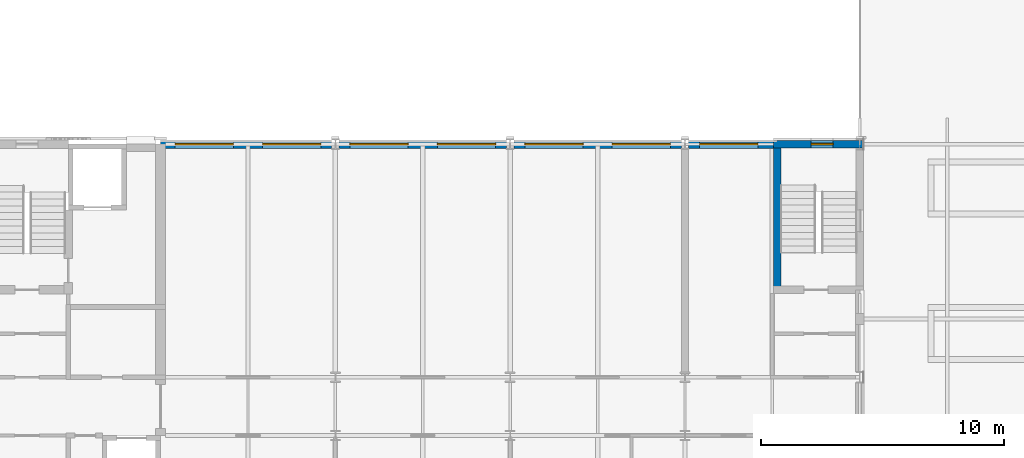
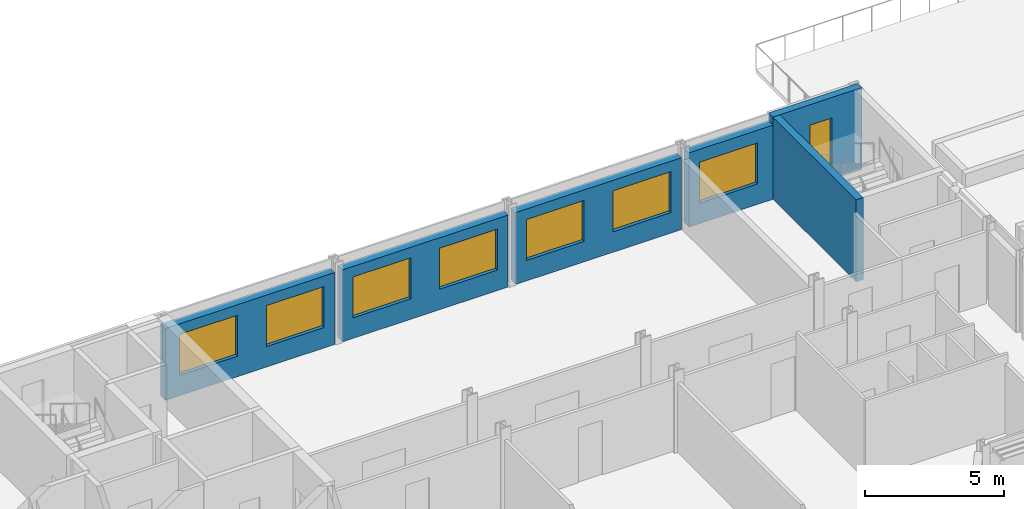
# One storey, part 44 of 110: 8 windows, 6 walls, 8 openings.
"""IFC4 building model written with IfcOpenShell, lengths in metres."""

from ifc_helpers import new_model, si_unit, direction, frame, frame_2d, origin, place, context, subcontext, project, spatial, rectangle, extrude, material, layer, layer_set, type_object, element, fill, save


model = new_model("IFC4")

# Units and contexts
model_context = context("Model", 3, precision=1e-05, world=origin(), true_north=direction((0.0, 1.0)))
body_context = subcontext(model_context, "Body", "Model", "MODEL_VIEW")
ifc_project = project(units=[si_unit("LENGTHUNIT", "METRE"), si_unit("AREAUNIT", "SQUARE_METRE"), si_unit("VOLUMEUNIT", "CUBIC_METRE"), si_unit("PLANEANGLEUNIT", "RADIAN"), si_unit("MASSUNIT", "GRAM", prefix="KILO")], contexts=[model_context])

# Site, building, storey
site_placement = place(None, origin())
site = spatial("IfcSite", under=ifc_project, at=site_placement, CompositionType="ELEMENT")
building_placement = place(site_placement, origin())
building = spatial("IfcBuilding", under=site, at=building_placement, Name="Kupolbacken Congress Centre", CompositionType="ELEMENT")
storey_placement = place(building_placement, frame((0.0, 0.0, 18.0)))
storey = spatial("IfcBuildingStorey", under=building, at=storey_placement, Name="L05", CompositionType="ELEMENT", Elevation=18.0)

# Wall, opening, window
ifc_material_1 = material(Name="Brick", Category="masonry")
ifc_layer_1 = layer(ifc_material_1, 0.10791015625)
ifc_material_2 = material(Name="Air cavity", Category="air")
ifc_layer_2 = layer(ifc_material_2, 0.050048828125, ventilated=True)
ifc_material_3 = material(Name="Mineral wool", Category="insulation")
ifc_layer_3 = layer(ifc_material_3, 0.1298828125)
ifc_material_4 = material(Name="Steel studs", Category="metal")
ifc_layer_4 = layer(ifc_material_4, 0.052001953125)
ifc_layer_set_1 = layer_set([ifc_layer_1, ifc_layer_2, ifc_layer_3, ifc_layer_4], Name="Brick / Mineral wool / Steel studs")
wall_type_1 = type_object("IfcWallType", Name="EW02 external cavity wall 340", PredefinedType="SOLIDWALL", material=ifc_layer_set_1)
wall_1_placement = place(storey_placement, frame((133.39990234375, 144.0, 0.0), z_axis=(0.0, 0.0, 1.0), x_axis=(-1.0, 0.0, 0.0)))
wall_1 = element("IfcWall", 1, at=wall_1_placement, inside=storey, type_object=wall_type_1, Name="E/T/N/L05/065", PredefinedType="SOLIDWALL", context=body_context, shape_type="SweptSolid", body=[
    extrude(rectangle(XDim=3.646484375, YDim=0.340087890625, at=frame_2d((1.8232421875, 0.0))), origin(), (0.0, 0.0, 1.0), 3.260009765625),
])
opening_1_placement = place(wall_1_placement, frame((0.800048828125, 0.0, 0.89990234375)))
opening_1 = element("IfcOpeningElement", 2, at=opening_1_placement, cuts=wall_1, Name="Opening W8", PredefinedType="OPENING", context=body_context, shape_type="SweptSolid", body=[
    extrude(rectangle(XDim=2.39990234375, YDim=1.800048828125, at=frame_2d((1.199951171875, 0.89990234375))), frame((0.0, 0.179931640625, 0.0), z_axis=(0.0, -1.0, 0.0), x_axis=(1.0, 0.0, 0.0)), (0.0, 0.0, 1.0), 0.360107421875),
])
ifc_material_5 = material(Name="Aluminium frame with double or triple glazing", Category="aluminium")
window_type_1 = type_object("IfcWindowType", Name="W8 window 2400x1800", PartitioningType="DOUBLE_PANEL_VERTICAL", PredefinedType="WINDOW", material=ifc_material_5)
window_1_placement = place(opening_1_placement, origin())
window_1 = element("IfcWindow", 3, at=window_1_placement, inside=storey, type_object=window_type_1, Name="E/T/N/L05/065/W1", OverallHeight=1.800048828125, OverallWidth=2.39990234375, PartitioningType="SINGLE_PANEL", PredefinedType="WINDOW", context=body_context, shape_type="SweptSolid", body=[
    extrude(rectangle(XDim=2.39990234375, YDim=1.800048828125, at=frame_2d((1.199951171875, 0.89990234375))), frame((0.0, 0.030029296875, 0.0), z_axis=(0.0, -1.0, 0.0), x_axis=(1.0, 0.0, 0.0)), (0.0, 0.0, 1.0), 0.06005859375),
])
fill(opening_1, window_1)

# Wall, openings, windows
wall_2_placement = place(storey_placement, frame((129.446533203125, 144.0, 0.0), z_axis=(0.0, 0.0, 1.0), x_axis=(-1.0, 0.0, 0.0)))
wall_2 = element("IfcWall", 4, at=wall_2_placement, inside=storey, type_object=wall_type_1, Name="E/T/N/L05/066", PredefinedType="SOLIDWALL", context=body_context, shape_type="SweptSolid", body=[
    extrude(rectangle(XDim=6.89306640625, YDim=0.340087890625, at=frame_2d((3.446533203125, 0.0))), origin(), (0.0, 0.0, 1.0), 3.159912109375),
])
opening_2_placement = place(wall_2_placement, frame((4.04638671875, 0.0, 0.89990234375)))
opening_2 = element("IfcOpeningElement", 5, at=opening_2_placement, cuts=wall_2, Name="Opening W8", PredefinedType="OPENING", context=body_context, shape_type="SweptSolid", body=[
    extrude(rectangle(XDim=2.39990234375, YDim=1.800048828125, at=frame_2d((1.199951171875, 0.89990234375))), frame((0.0, 0.179931640625, 0.0), z_axis=(0.0, -1.0, 0.0), x_axis=(1.0, 0.0, 0.0)), (0.0, 0.0, 1.0), 0.360107421875),
])
opening_3_placement = place(wall_2_placement, frame((0.446533203125, 0.0, 0.89990234375)))
opening_3 = element("IfcOpeningElement", 6, at=opening_3_placement, cuts=wall_2, Name="Opening W8", PredefinedType="OPENING", context=body_context, shape_type="SweptSolid", body=[
    extrude(rectangle(XDim=2.39990234375, YDim=1.800048828125, at=frame_2d((1.199951171875, 0.89990234375))), frame((0.0, 0.179931640625, 0.0), z_axis=(0.0, -1.0, 0.0), x_axis=(1.0, 0.0, 0.0)), (0.0, 0.0, 1.0), 0.360107421875),
])
window_2_placement = place(opening_2_placement, origin())
window_2 = element("IfcWindow", 7, at=window_2_placement, inside=storey, type_object=window_type_1, Name="E/T/N/L05/066/W1", OverallHeight=1.800048828125, OverallWidth=2.39990234375, PartitioningType="SINGLE_PANEL", PredefinedType="WINDOW", context=body_context, shape_type="SweptSolid", body=[
    extrude(rectangle(XDim=2.39990234375, YDim=1.800048828125, at=frame_2d((1.199951171875, 0.89990234375))), frame((0.0, 0.030029296875, 0.0), z_axis=(0.0, -1.0, 0.0), x_axis=(1.0, 0.0, 0.0)), (0.0, 0.0, 1.0), 0.06005859375),
])
fill(opening_2, window_2)
window_3_placement = place(opening_3_placement, origin())
window_3 = element("IfcWindow", 8, at=window_3_placement, inside=storey, type_object=window_type_1, Name="E/T/N/L05/066/W2", OverallHeight=1.800048828125, OverallWidth=2.39990234375, PartitioningType="SINGLE_PANEL", PredefinedType="WINDOW", context=body_context, shape_type="SweptSolid", body=[
    extrude(rectangle(XDim=2.39990234375, YDim=1.800048828125, at=frame_2d((1.199951171875, 0.89990234375))), frame((0.0, 0.030029296875, 0.0), z_axis=(0.0, -1.0, 0.0), x_axis=(1.0, 0.0, 0.0)), (0.0, 0.0, 1.0), 0.06005859375),
])
fill(opening_3, window_3)

wall_3_placement = place(storey_placement, frame((122.24658203125, 144.0, 0.0), z_axis=(0.0, 0.0, 1.0), x_axis=(-1.0, 0.0, 0.0)))
wall_3 = element("IfcWall", 9, at=wall_3_placement, inside=storey, type_object=wall_type_1, Name="E/T/N/L05/067", PredefinedType="SOLIDWALL", context=body_context, shape_type="SweptSolid", body=[
    extrude(rectangle(XDim=6.89306640625, YDim=0.340087890625, at=frame_2d((3.446533203125, 0.0))), origin(), (0.0, 0.0, 1.0), 3.159912109375),
])
opening_4_placement = place(wall_3_placement, frame((4.04638671875, 0.0, 0.89990234375)))
opening_4 = element("IfcOpeningElement", 10, at=opening_4_placement, cuts=wall_3, Name="Opening W8", PredefinedType="OPENING", context=body_context, shape_type="SweptSolid", body=[
    extrude(rectangle(XDim=2.39990234375, YDim=1.800048828125, at=frame_2d((1.199951171875, 0.89990234375))), frame((0.0, 0.179931640625, 0.0), z_axis=(0.0, -1.0, 0.0), x_axis=(1.0, 0.0, 0.0)), (0.0, 0.0, 1.0), 0.360107421875),
])
opening_5_placement = place(wall_3_placement, frame((0.446533203125, 0.0, 0.89990234375)))
opening_5 = element("IfcOpeningElement", 11, at=opening_5_placement, cuts=wall_3, Name="Opening W8", PredefinedType="OPENING", context=body_context, shape_type="SweptSolid", body=[
    extrude(rectangle(XDim=2.39990234375, YDim=1.800048828125, at=frame_2d((1.199951171875, 0.89990234375))), frame((0.0, 0.179931640625, 0.0), z_axis=(0.0, -1.0, 0.0), x_axis=(1.0, 0.0, 0.0)), (0.0, 0.0, 1.0), 0.360107421875),
])
window_4_placement = place(opening_4_placement, origin())
window_4 = element("IfcWindow", 12, at=window_4_placement, inside=storey, type_object=window_type_1, Name="E/T/N/L05/067/W1", OverallHeight=1.800048828125, OverallWidth=2.39990234375, PartitioningType="SINGLE_PANEL", PredefinedType="WINDOW", context=body_context, shape_type="SweptSolid", body=[
    extrude(rectangle(XDim=2.39990234375, YDim=1.800048828125, at=frame_2d((1.199951171875, 0.89990234375))), frame((0.0, 0.030029296875, 0.0), z_axis=(0.0, -1.0, 0.0), x_axis=(1.0, 0.0, 0.0)), (0.0, 0.0, 1.0), 0.06005859375),
])
fill(opening_4, window_4)
window_5_placement = place(opening_5_placement, origin())
window_5 = element("IfcWindow", 13, at=window_5_placement, inside=storey, type_object=window_type_1, Name="E/T/N/L05/067/W2", OverallHeight=1.800048828125, OverallWidth=2.39990234375, PartitioningType="SINGLE_PANEL", PredefinedType="WINDOW", context=body_context, shape_type="SweptSolid", body=[
    extrude(rectangle(XDim=2.39990234375, YDim=1.800048828125, at=frame_2d((1.199951171875, 0.89990234375))), frame((0.0, 0.030029296875, 0.0), z_axis=(0.0, -1.0, 0.0), x_axis=(1.0, 0.0, 0.0)), (0.0, 0.0, 1.0), 0.06005859375),
])
fill(opening_5, window_5)

wall_4_placement = place(storey_placement, frame((115.04638671875, 144.0, 0.0), z_axis=(0.0, 0.0, 1.0), x_axis=(-1.0, 0.0, 0.0)))
wall_4 = element("IfcWall", 14, at=wall_4_placement, inside=storey, type_object=wall_type_1, Name="E/T/N/L05/068", PredefinedType="SOLIDWALL", context=body_context, shape_type="SweptSolid", body=[
    extrude(rectangle(XDim=7.04638671875, YDim=0.340087890625, at=frame_2d((3.523193359375, 0.0))), origin(), (0.0, 0.0, 1.0), 3.159912109375),
])
opening_6_placement = place(wall_4_placement, frame((4.04638671875, 0.0, 0.89990234375)))
opening_6 = element("IfcOpeningElement", 15, at=opening_6_placement, cuts=wall_4, Name="Opening W8", PredefinedType="OPENING", context=body_context, shape_type="SweptSolid", body=[
    extrude(rectangle(XDim=2.39990234375, YDim=1.800048828125, at=frame_2d((1.199951171875, 0.89990234375))), frame((0.0, 0.179931640625, 0.0), z_axis=(0.0, -1.0, 0.0), x_axis=(1.0, 0.0, 0.0)), (0.0, 0.0, 1.0), 0.360107421875),
])
opening_7_placement = place(wall_4_placement, frame((0.446533203125, 0.0, 0.89990234375)))
opening_7 = element("IfcOpeningElement", 16, at=opening_7_placement, cuts=wall_4, Name="Opening W8", PredefinedType="OPENING", context=body_context, shape_type="SweptSolid", body=[
    extrude(rectangle(XDim=2.39990234375, YDim=1.800048828125, at=frame_2d((1.199951171875, 0.89990234375))), frame((0.0, 0.179931640625, 0.0), z_axis=(0.0, -1.0, 0.0), x_axis=(1.0, 0.0, 0.0)), (0.0, 0.0, 1.0), 0.360107421875),
])
window_6_placement = place(opening_6_placement, origin())
window_6 = element("IfcWindow", 17, at=window_6_placement, inside=storey, type_object=window_type_1, Name="E/T/N/L05/068/W1", OverallHeight=1.800048828125, OverallWidth=2.39990234375, PartitioningType="SINGLE_PANEL", PredefinedType="WINDOW", context=body_context, shape_type="SweptSolid", body=[
    extrude(rectangle(XDim=2.39990234375, YDim=1.800048828125, at=frame_2d((1.199951171875, 0.89990234375))), frame((0.0, 0.030029296875, 0.0), z_axis=(0.0, -1.0, 0.0), x_axis=(1.0, 0.0, 0.0)), (0.0, 0.0, 1.0), 0.06005859375),
])
fill(opening_6, window_6)
window_7_placement = place(opening_7_placement, origin())
window_7 = element("IfcWindow", 18, at=window_7_placement, inside=storey, type_object=window_type_1, Name="E/T/N/L05/068/W2", OverallHeight=1.800048828125, OverallWidth=2.39990234375, PartitioningType="SINGLE_PANEL", PredefinedType="WINDOW", context=body_context, shape_type="SweptSolid", body=[
    extrude(rectangle(XDim=2.39990234375, YDim=1.800048828125, at=frame_2d((1.199951171875, 0.89990234375))), frame((0.0, 0.030029296875, 0.0), z_axis=(0.0, -1.0, 0.0), x_axis=(1.0, 0.0, 0.0)), (0.0, 0.0, 1.0), 0.06005859375),
])
fill(opening_7, window_7)

# Wall
ifc_material_6 = material(Name="Concrete C40/50", Category="concrete")
ifc_layer_5 = layer(ifc_material_6, 0.300048828125)
ifc_layer_set_2 = layer_set([ifc_layer_5], Name="Concrete C40/50")
wall_type_2 = type_object("IfcWallType", Name="WC3 RC core wall 300", PredefinedType="SHEAR", material=ifc_layer_set_2)
wall_5_placement = place(storey_placement, frame((133.39990234375, 144.14990234375, 0.0), z_axis=(0.0, 0.0, 1.0), x_axis=(0.0, -1.0, 0.0)))
element("IfcWall", 19, at=wall_5_placement, inside=storey, type_object=wall_type_2, Name="Core wall L05-130", PredefinedType="SHEAR", context=body_context, shape_type="SweptSolid", body=[
    extrude(rectangle(XDim=6.2998046875, YDim=0.300048828125, at=frame_2d((3.14990234375, 0.0))), origin(), (0.0, 0.0, 1.0), 3.60009765625),
])

# Wall, opening, window
wall_6_placement = place(storey_placement, frame((136.949951171875, 144.0, 0.0), z_axis=(0.0, 0.0, 1.0), x_axis=(-1.0, 0.0, 0.0)))
wall_6 = element("IfcWall", 20, at=wall_6_placement, inside=storey, type_object=wall_type_2, Name="Core wall L05-131", PredefinedType="SHEAR", context=body_context, shape_type="SweptSolid", body=[
    extrude(rectangle(XDim=3.699951171875, YDim=0.300048828125, at=frame_2d((1.85009765625, 0.0))), origin(), (0.0, 0.0, 1.0), 3.60009765625),
])
opening_8_placement = place(wall_6_placement, frame((1.25, 0.0, 0.60009765625)))
opening_8 = element("IfcOpeningElement", 21, at=opening_8_placement, cuts=wall_6, Name="Opening W28", PredefinedType="OPENING", context=body_context, shape_type="SweptSolid", body=[
    extrude(rectangle(XDim=0.89990234375, YDim=2.10009765625, at=frame_2d((0.449951171875, 1.050048828125))), frame((0.0, 0.159912109375, 0.0), z_axis=(0.0, -1.0, 0.0), x_axis=(1.0, 0.0, 0.0)), (0.0, 0.0, 1.0), 0.320068359375),
])
ifc_material_7 = material(Name="Aluminium frame with double or triple glazing", Category="aluminium")
window_type_2 = type_object("IfcWindowType", Name="W28 window 900x2100", PartitioningType="SINGLE_PANEL", PredefinedType="WINDOW", material=ifc_material_7)
window_8_placement = place(opening_8_placement, origin())
window_8 = element("IfcWindow", 22, at=window_8_placement, inside=storey, type_object=window_type_2, Name="S/core/L05/131/WW28", OverallHeight=2.10009765625, OverallWidth=0.89990234375, PartitioningType="SINGLE_PANEL", PredefinedType="WINDOW", context=body_context, shape_type="SweptSolid", body=[
    extrude(rectangle(XDim=0.89990234375, YDim=2.10009765625, at=frame_2d((0.449951171875, 1.050048828125))), frame((0.0, 0.030029296875, 0.0), z_axis=(0.0, -1.0, 0.0), x_axis=(1.0, 0.0, 0.0)), (0.0, 0.0, 1.0), 0.06005859375),
])
fill(opening_8, window_8)

save(model, "model.ifc")
